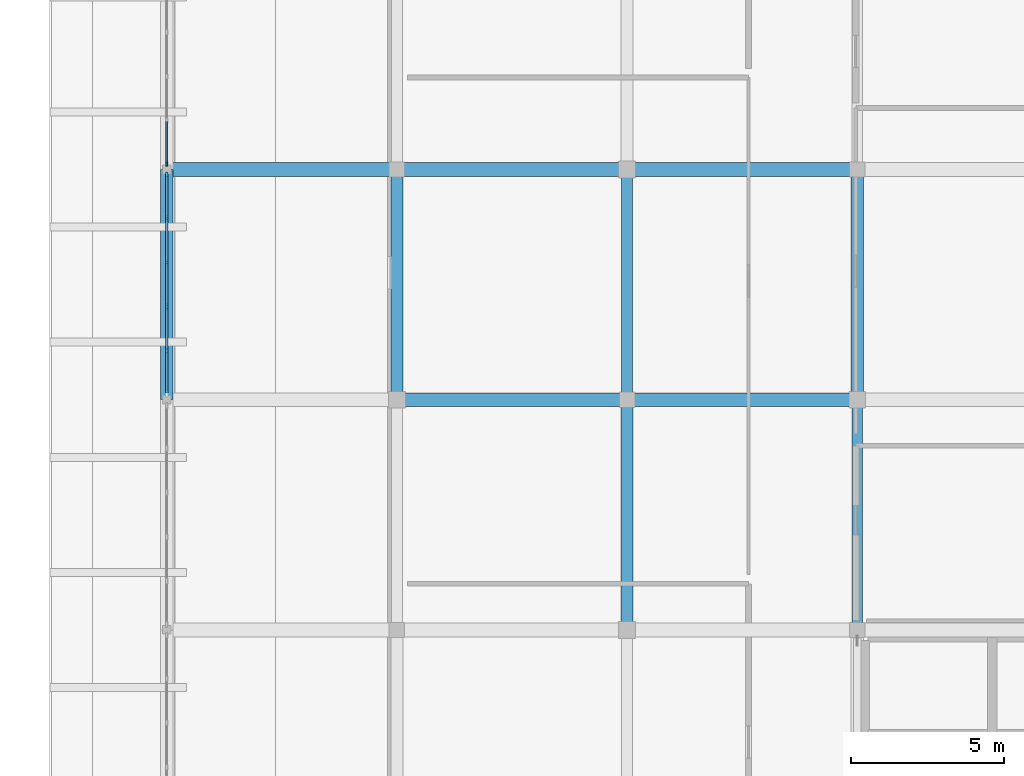
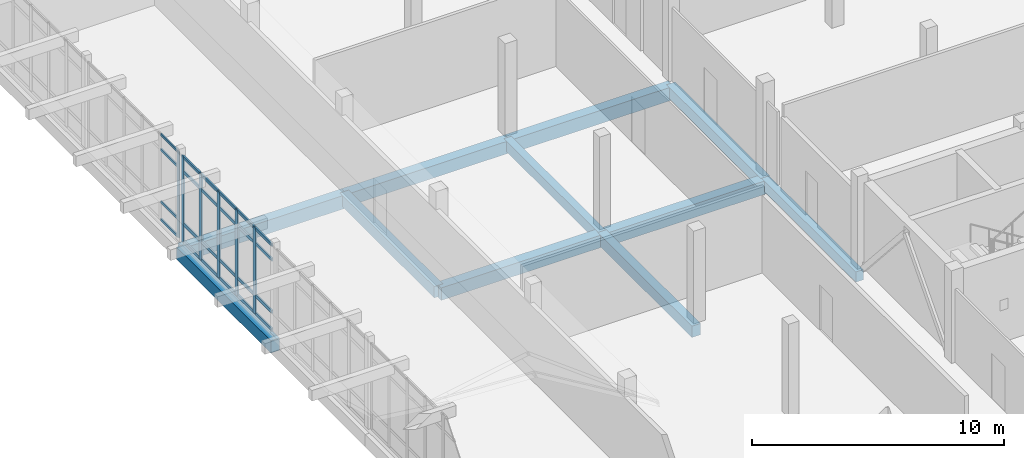
# One storey, part 62 of 128: 30 members, 11 beams, 2 elements without a shape of their own.
"""IFC4 building model written with IfcOpenShell, lengths in metres."""

from ifc_helpers import new_model, si_unit, direction, frame, origin, origin_2d, place, context, subcontext, project, spatial, rectangle, extrude, material, layer, layer_set, material_profile, profile_set, type_object, element, aggregate, save


model = new_model("IFC4")

# Units and contexts
model_context = context("Model", 3, precision=1e-05, world=origin(), true_north=direction((0.0, 1.0)))
body_context = subcontext(model_context, "Body", "Model", "MODEL_VIEW")
ifc_project = project(units=[si_unit("LENGTHUNIT", "METRE"), si_unit("AREAUNIT", "SQUARE_METRE"), si_unit("VOLUMEUNIT", "CUBIC_METRE"), si_unit("PLANEANGLEUNIT", "RADIAN"), si_unit("MASSUNIT", "GRAM", prefix="KILO")], contexts=[model_context])

# Site, building, storey
site_placement = place(None, origin())
site = spatial("IfcSite", under=ifc_project, at=site_placement, CompositionType="ELEMENT")
building_placement = place(site_placement, origin())
building = spatial("IfcBuilding", under=site, at=building_placement, Name="Dalvernix Boulevard General Hospital", CompositionType="ELEMENT")
storey_placement = place(building_placement, frame((0.0, 0.0, 4.800048828125)))
storey = spatial("IfcBuildingStorey", under=building, at=storey_placement, Name="L01", CompositionType="ELEMENT", Elevation=4.800048828125)

# Beams
ifc_material_1 = material(Name="Concrete C35/45", Category="concrete")
ifc_material_profile_1 = material_profile(ifc_material_1, rectangle(XDim=0.449951171875, YDim=0.64990234375, at=origin_2d()), Name="RCB 450x650")
ifc_profile_set_1 = profile_set([ifc_material_profile_1], Name="Concrete C35/45")
beam_type_1 = type_object("IfcBeamType", Name="BM-B-03-I", PredefinedType="BEAM", material=ifc_profile_set_1)
for number, where, z_axis, x_axis, name in (
    (1, (150.0, 54.0, -0.625), (1.0, 0.0, 0.0), (0.0, 1.0, 0.0), "L01 E-W girder H:21-22"),
    (2, (135.0, 61.5, -0.625), (1.0, 0.0, 0.0), (0.0, 1.0, 0.0), "L01 E-W girder J:19-20"),
    (3, (150.0, 61.5, -0.625), (1.0, 0.0, 0.0), (0.0, 1.0, 0.0), "L01 E-W girder J:21-22"),
):
    element("IfcBeam", number, at=place(storey_placement, frame(where, z_axis=z_axis, x_axis=x_axis)), inside=storey, type_object=beam_type_1, Name=name, PredefinedType="BEAM", context=body_context, shape_type="SweptSolid", body=[
        extrude(rectangle(XDim=0.449951171875, YDim=0.64990234375, at=origin_2d()), origin(), (0.0, 0.0, 1.0), 7.5),
    ])
ifc_material_profile_2 = material_profile(ifc_material_1, rectangle(XDim=0.449951171875, YDim=0.60009765625, at=origin_2d()), Name="RCB 450x600")
ifc_profile_set_2 = profile_set([ifc_material_profile_2], Name="Concrete C35/45")
beam_type_2 = type_object("IfcBeamType", Name="BM-B-04-I", PredefinedType="BEAM", material=ifc_profile_set_2)
for number, where, z_axis, x_axis, name in (
    (4, (142.5, 54.0, -0.60009765625), (1.0, 0.0, 0.0), (0.0, 1.0, 0.0), "L01 E-W girder H:20-21"),
    (5, (142.5, 61.5, -0.60009765625), (1.0, 0.0, 0.0), (0.0, 1.0, 0.0), "L01 E-W girder J:20-21"),
):
    element("IfcBeam", number, at=place(storey_placement, frame(where, z_axis=z_axis, x_axis=x_axis)), inside=storey, type_object=beam_type_2, Name=name, PredefinedType="BEAM", context=body_context, shape_type="SweptSolid", body=[
        extrude(rectangle(XDim=0.449951171875, YDim=0.60009765625, at=origin_2d()), origin(), (0.0, 0.0, 1.0), 7.5),
    ])
ifc_material_profile_3 = material_profile(ifc_material_1, rectangle(XDim=0.39990234375, YDim=0.550048828125, at=origin_2d()), Name="RCB 400x550")
ifc_profile_set_3 = profile_set([ifc_material_profile_3], Name="Concrete C35/45")
beam_type_3 = type_object("IfcBeamType", Name="BM-B-06-I", PredefinedType="BEAM", material=ifc_profile_set_3)
for number, where, z_axis, x_axis, name in (
    (6, (142.5, 54.0, -0.574951171875), (0.0, 1.0, 0.0), (-1.0, 0.0, 0.0), "L01 N-S girder 20:H-J"),
    (7, (150.0, 46.5, -0.574951171875), (0.0, 1.0, 0.0), (-1.0, 0.0, 0.0), "L01 N-S girder 21:G-H"),
    (8, (157.5, 54.0, -0.574951171875), (0.0, 1.0, 0.0), (-1.0, 0.0, 0.0), "L01 N-S girder 22:H-J"),
):
    element("IfcBeam", number, at=place(storey_placement, frame(where, z_axis=z_axis, x_axis=x_axis)), inside=storey, type_object=beam_type_3, Name=name, PredefinedType="BEAM", context=body_context, shape_type="SweptSolid", body=[
        extrude(rectangle(XDim=0.39990234375, YDim=0.550048828125, at=origin_2d()), origin(), (0.0, 0.0, 1.0), 7.5),
    ])
ifc_material_profile_4 = material_profile(ifc_material_1, rectangle(XDim=0.35009765625, YDim=0.5, at=origin_2d()), Name="RCB 350x500")
ifc_profile_set_4 = profile_set([ifc_material_profile_4], Name="Concrete C35/45")
beam_type_4 = type_object("IfcBeamType", Name="BM-B-08-I", PredefinedType="BEAM", material=ifc_profile_set_4)
for number, where, z_axis, x_axis, name in (
    (9, (150.0, 54.0, -0.550048828125), (0.0, 1.0, 0.0), (-1.0, 0.0, 0.0), "L01 N-S girder 21:H-J"),
    (10, (157.5, 46.5, -0.550048828125), (0.0, 1.0, 0.0), (-1.0, 0.0, 0.0), "L01 N-S girder 22:G-H"),
):
    element("IfcBeam", number, at=place(storey_placement, frame(where, z_axis=z_axis, x_axis=x_axis)), inside=storey, type_object=beam_type_4, Name=name, PredefinedType="BEAM", context=body_context, shape_type="SweptSolid", body=[
        extrude(rectangle(XDim=0.35009765625, YDim=0.5, at=origin_2d()), origin(), (0.0, 0.0, 1.0), 7.5),
    ])
ifc_material_profile_5 = material_profile(ifc_material_1, rectangle(XDim=0.39990234375, YDim=0.60009765625, at=origin_2d()), Name="RCB 400x600")
ifc_profile_set_5 = profile_set([ifc_material_profile_5], Name="Concrete C35/45")
beam_type_5 = type_object("IfcBeamType", Name="BM-SB-02-E", PredefinedType="SPANDREL", material=ifc_profile_set_5)
beam_placement = place(storey_placement, frame((135.0, 54.0, -0.60009765625), z_axis=(0.0, 1.0, 0.0), x_axis=(-1.0, 0.0, 0.0)))
element("IfcBeam", 11, at=beam_placement, inside=storey, type_object=beam_type_5, Name="L01 N-S girder 19:H-J", PredefinedType="SPANDREL", context=body_context, shape_type="SweptSolid", body=[
    extrude(rectangle(XDim=0.39990234375, YDim=0.60009765625, at=origin_2d()), origin(), (0.0, 0.0, 1.0), 7.5),
])

# Curtain wall, member
ifc_material_2 = material(Name="Thermally broken aluminium and solar-control glass curtain wall", Category="aluminium")
ifc_layer_1 = layer(ifc_material_2, 0.159912109375)
ifc_layer_set_1 = layer_set([ifc_layer_1], Name="Thermally broken aluminium and solar-control glass curtain wall (CW-CW-A-72x42)")
curtain_wall_type_1 = type_object("IfcCurtainWallType", Name="CW-CW-A-72x42", PredefinedType="USERDEFINED", material=ifc_layer_set_1)
curtain_wall_1_placement = place(storey_placement, origin())
curtain_wall_1 = element("IfcCurtainWall", 12, at=curtain_wall_1_placement, inside=storey, type_object=curtain_wall_type_1, Name="L01 curtain wall CW-A-72x42 18-8", ObjectType="GLAZED FACADE", PredefinedType="USERDEFINED")
ifc_material_3 = material(Name="Aluminium EN AW-6060", Category="aluminium")
ifc_material_profile_6 = material_profile(ifc_material_3, rectangle(XDim=0.06005859375, YDim=0.159912109375, at=origin_2d()), Name="ALU MULL 60x160")
ifc_profile_set_6 = profile_set([ifc_material_profile_6], Name="Aluminium EN AW-6060")
member_type_1 = type_object("IfcMemberType", Name="MEM-CW-M1", PredefinedType="MULLION", material=ifc_profile_set_6)
member_1_placement = place(storey_placement, frame((135.0, 61.679931640625, 0.0), z_axis=(0.0, 0.0, 1.0), x_axis=(-1.0, 0.0, 0.0)))
member_1 = element("IfcMember", 13, at=member_1_placement, type_object=member_type_1, Name="CW-A-72x42 mullion 1", PredefinedType="MULLION", context=body_context, shape_type="SweptSolid", body=[
    extrude(rectangle(XDim=0.06005859375, YDim=0.159912109375, at=origin_2d()), origin(), (0.0, 0.0, 1.0), 4.179931640625),
])

# Curtain wall, members
ifc_layer_2 = layer(ifc_material_2, 0.199951171875)
ifc_layer_set_2 = layer_set([ifc_layer_2], Name="Thermally broken aluminium and solar-control glass curtain wall (CW-CW-C-72x42)")
curtain_wall_type_2 = type_object("IfcCurtainWallType", Name="CW-CW-C-72x42", PredefinedType="USERDEFINED", material=ifc_layer_set_2)
curtain_wall_2_placement = place(storey_placement, origin())
curtain_wall_2 = element("IfcCurtainWall", 14, at=curtain_wall_2_placement, inside=storey, type_object=curtain_wall_type_2, Name="L01 curtain wall CW-C-72x42 18-7", ObjectType="GLAZED FACADE", PredefinedType="USERDEFINED")
ifc_material_profile_7 = material_profile(ifc_material_3, rectangle(XDim=0.070068359375, YDim=0.199951171875, at=origin_2d()), Name="ALU MULL 70x200")
ifc_profile_set_7 = profile_set([ifc_material_profile_7], Name="Aluminium EN AW-6060")
member_type_2 = type_object("IfcMemberType", Name="MEM-CW-M3", PredefinedType="MULLION", material=ifc_profile_set_7)
member_2_placement = place(storey_placement, frame((135.0, 55.590087890625, 0.0), z_axis=(0.0, 0.0, 1.0), x_axis=(-1.0, 0.0, 0.0)))
member_2 = element("IfcMember", 15, at=member_2_placement, type_object=member_type_2, Name="CW-C-72x42 mullion 2", PredefinedType="MULLION", context=body_context, shape_type="SweptSolid", body=[
    extrude(rectangle(XDim=0.070068359375, YDim=0.199951171875, at=origin_2d()), origin(), (0.0, 0.0, 1.0), 4.179931640625),
])
member_3_placement = place(storey_placement, frame((135.0, 57.030029296875, 0.0), z_axis=(0.0, 0.0, 1.0), x_axis=(-1.0, 0.0, 0.0)))
member_3 = element("IfcMember", 16, at=member_3_placement, type_object=member_type_2, Name="CW-C-72x42 mullion 3", PredefinedType="MULLION", context=body_context, shape_type="SweptSolid", body=[
    extrude(rectangle(XDim=0.070068359375, YDim=0.199951171875, at=origin_2d()), origin(), (0.0, 0.0, 1.0), 4.179931640625),
])
member_4_placement = place(storey_placement, frame((135.0, 58.469970703125, 0.0), z_axis=(0.0, 0.0, 1.0), x_axis=(-1.0, 0.0, 0.0)))
member_4 = element("IfcMember", 17, at=member_4_placement, type_object=member_type_2, Name="CW-C-72x42 mullion 4", PredefinedType="MULLION", context=body_context, shape_type="SweptSolid", body=[
    extrude(rectangle(XDim=0.070068359375, YDim=0.199951171875, at=origin_2d()), origin(), (0.0, 0.0, 1.0), 4.179931640625),
])
member_5_placement = place(storey_placement, frame((135.0, 59.909912109375, 0.0), z_axis=(0.0, 0.0, 1.0), x_axis=(-1.0, 0.0, 0.0)))
member_5 = element("IfcMember", 18, at=member_5_placement, type_object=member_type_2, Name="CW-C-72x42 mullion 5", PredefinedType="MULLION", context=body_context, shape_type="SweptSolid", body=[
    extrude(rectangle(XDim=0.070068359375, YDim=0.199951171875, at=origin_2d()), origin(), (0.0, 0.0, 1.0), 4.179931640625),
])
member_6_placement = place(storey_placement, frame((135.0, 61.31494140625, 0.0), z_axis=(0.0, 0.0, 1.0), x_axis=(-1.0, 0.0, 0.0)))
member_6 = element("IfcMember", 19, at=member_6_placement, type_object=member_type_2, Name="CW-C-72x42 mullion 6", PredefinedType="MULLION", context=body_context, shape_type="SweptSolid", body=[
    extrude(rectangle(XDim=0.070068359375, YDim=0.199951171875, at=origin_2d()), origin(), (0.0, 0.0, 1.0), 4.179931640625),
])

# Member
ifc_material_profile_8 = material_profile(ifc_material_3, rectangle(XDim=0.06005859375, YDim=0.1201171875, at=origin_2d()), Name="ALU TRAN 60x120")
ifc_profile_set_8 = profile_set([ifc_material_profile_8], Name="Aluminium EN AW-6060")
member_type_3 = type_object("IfcMemberType", Name="MEM-CW-T1", PredefinedType="USERDEFINED", material=ifc_profile_set_8)
member_7_placement = place(storey_placement, frame((135.0, 61.7099609375, 0.030029296875), z_axis=(0.0, 1.0, 0.0), x_axis=(-1.0, 0.0, 0.0)))
member_7 = element("IfcMember", 20, at=member_7_placement, type_object=member_type_3, Name="CW-A-72x42 transom 1.1", ObjectType="TRANSOM", PredefinedType="USERDEFINED", context=body_context, shape_type="SweptSolid", body=[
    extrude(rectangle(XDim=0.06005859375, YDim=0.1201171875, at=origin_2d()), origin(), (0.0, 0.0, 1.0), 1.35009765625),
])

member_8_placement = place(storey_placement, frame((135.0, 61.7099609375, 0.89990234375), z_axis=(0.0, 1.0, 0.0), x_axis=(-1.0, 0.0, 0.0)))
member_8 = element("IfcMember", 21, at=member_8_placement, type_object=member_type_3, Name="CW-A-72x42 transom 1.2", ObjectType="TRANSOM", PredefinedType="USERDEFINED", context=body_context, shape_type="SweptSolid", body=[
    extrude(rectangle(XDim=0.06005859375, YDim=0.1201171875, at=origin_2d()), origin(), (0.0, 0.0, 1.0), 1.35009765625),
])

member_9_placement = place(storey_placement, frame((135.0, 61.7099609375, 3.429931640625), z_axis=(0.0, 1.0, 0.0), x_axis=(-1.0, 0.0, 0.0)))
member_9 = element("IfcMember", 22, at=member_9_placement, type_object=member_type_3, Name="CW-A-72x42 transom 1.3", ObjectType="TRANSOM", PredefinedType="USERDEFINED", context=body_context, shape_type="SweptSolid", body=[
    extrude(rectangle(XDim=0.06005859375, YDim=0.1201171875, at=origin_2d()), origin(), (0.0, 0.0, 1.0), 1.35009765625),
])

member_10_placement = place(storey_placement, frame((135.0, 61.7099609375, 4.14990234375), z_axis=(0.0, 1.0, 0.0), x_axis=(-1.0, 0.0, 0.0)))
member_10 = element("IfcMember", 23, at=member_10_placement, type_object=member_type_3, Name="CW-A-72x42 transom 1.4", ObjectType="TRANSOM", PredefinedType="USERDEFINED", context=body_context, shape_type="SweptSolid", body=[
    extrude(rectangle(XDim=0.06005859375, YDim=0.1201171875, at=origin_2d()), origin(), (0.0, 0.0, 1.0), 1.35009765625),
])

aggregate(curtain_wall_1, [member_1, member_7, member_8, member_9, member_10])

ifc_material_profile_9 = material_profile(ifc_material_3, rectangle(XDim=0.070068359375, YDim=0.14990234375, at=origin_2d()), Name="ALU TRAN 70x150")
ifc_profile_set_9 = profile_set([ifc_material_profile_9], Name="Aluminium EN AW-6060")
member_type_4 = type_object("IfcMemberType", Name="MEM-CW-T3", PredefinedType="USERDEFINED", material=ifc_profile_set_9)
member_11_placement = place(storey_placement, frame((135.0, 54.219970703125, 0.034912109375), z_axis=(0.0, 1.0, 0.0), x_axis=(-1.0, 0.0, 0.0)))
member_11 = element("IfcMember", 24, at=member_11_placement, type_object=member_type_4, Name="CW-C-72x42 transom 1.1", ObjectType="TRANSOM", PredefinedType="USERDEFINED", context=body_context, shape_type="SweptSolid", body=[
    extrude(rectangle(XDim=0.070068359375, YDim=0.14990234375, at=origin_2d()), origin(), (0.0, 0.0, 1.0), 1.3349609375),
])

member_12_placement = place(storey_placement, frame((135.0, 54.219970703125, 0.89990234375), z_axis=(0.0, 1.0, 0.0), x_axis=(-1.0, 0.0, 0.0)))
member_12 = element("IfcMember", 25, at=member_12_placement, type_object=member_type_4, Name="CW-C-72x42 transom 1.2", ObjectType="TRANSOM", PredefinedType="USERDEFINED", context=body_context, shape_type="SweptSolid", body=[
    extrude(rectangle(XDim=0.070068359375, YDim=0.14990234375, at=origin_2d()), origin(), (0.0, 0.0, 1.0), 1.3349609375),
])

member_13_placement = place(storey_placement, frame((135.0, 54.219970703125, 3.429931640625), z_axis=(0.0, 1.0, 0.0), x_axis=(-1.0, 0.0, 0.0)))
member_13 = element("IfcMember", 26, at=member_13_placement, type_object=member_type_4, Name="CW-C-72x42 transom 1.3", ObjectType="TRANSOM", PredefinedType="USERDEFINED", context=body_context, shape_type="SweptSolid", body=[
    extrude(rectangle(XDim=0.070068359375, YDim=0.14990234375, at=origin_2d()), origin(), (0.0, 0.0, 1.0), 1.3349609375),
])

member_14_placement = place(storey_placement, frame((135.0, 54.219970703125, 4.14501953125), z_axis=(0.0, 1.0, 0.0), x_axis=(-1.0, 0.0, 0.0)))
member_14 = element("IfcMember", 27, at=member_14_placement, type_object=member_type_4, Name="CW-C-72x42 transom 1.4", ObjectType="TRANSOM", PredefinedType="USERDEFINED", context=body_context, shape_type="SweptSolid", body=[
    extrude(rectangle(XDim=0.070068359375, YDim=0.14990234375, at=origin_2d()), origin(), (0.0, 0.0, 1.0), 1.3349609375),
])

member_15_placement = place(storey_placement, frame((135.0, 55.625, 0.034912109375), z_axis=(0.0, 1.0, 0.0), x_axis=(-1.0, 0.0, 0.0)))
member_15 = element("IfcMember", 28, at=member_15_placement, type_object=member_type_4, Name="CW-C-72x42 transom 2.1", ObjectType="TRANSOM", PredefinedType="USERDEFINED", context=body_context, shape_type="SweptSolid", body=[
    extrude(rectangle(XDim=0.070068359375, YDim=0.14990234375, at=origin_2d()), origin(), (0.0, 0.0, 1.0), 1.3701171875),
])

member_16_placement = place(storey_placement, frame((135.0, 55.625, 0.89990234375), z_axis=(0.0, 1.0, 0.0), x_axis=(-1.0, 0.0, 0.0)))
member_16 = element("IfcMember", 29, at=member_16_placement, type_object=member_type_4, Name="CW-C-72x42 transom 2.2", ObjectType="TRANSOM", PredefinedType="USERDEFINED", context=body_context, shape_type="SweptSolid", body=[
    extrude(rectangle(XDim=0.070068359375, YDim=0.14990234375, at=origin_2d()), origin(), (0.0, 0.0, 1.0), 1.3701171875),
])

member_17_placement = place(storey_placement, frame((135.0, 55.625, 3.429931640625), z_axis=(0.0, 1.0, 0.0), x_axis=(-1.0, 0.0, 0.0)))
member_17 = element("IfcMember", 30, at=member_17_placement, type_object=member_type_4, Name="CW-C-72x42 transom 2.3", ObjectType="TRANSOM", PredefinedType="USERDEFINED", context=body_context, shape_type="SweptSolid", body=[
    extrude(rectangle(XDim=0.070068359375, YDim=0.14990234375, at=origin_2d()), origin(), (0.0, 0.0, 1.0), 1.3701171875),
])

member_18_placement = place(storey_placement, frame((135.0, 55.625, 4.14501953125), z_axis=(0.0, 1.0, 0.0), x_axis=(-1.0, 0.0, 0.0)))
member_18 = element("IfcMember", 31, at=member_18_placement, type_object=member_type_4, Name="CW-C-72x42 transom 2.4", ObjectType="TRANSOM", PredefinedType="USERDEFINED", context=body_context, shape_type="SweptSolid", body=[
    extrude(rectangle(XDim=0.070068359375, YDim=0.14990234375, at=origin_2d()), origin(), (0.0, 0.0, 1.0), 1.3701171875),
])

member_19_placement = place(storey_placement, frame((135.0, 57.06494140625, 0.034912109375), z_axis=(0.0, 1.0, 0.0), x_axis=(-1.0, 0.0, 0.0)))
member_19 = element("IfcMember", 32, at=member_19_placement, type_object=member_type_4, Name="CW-C-72x42 transom 3.1", ObjectType="TRANSOM", PredefinedType="USERDEFINED", context=body_context, shape_type="SweptSolid", body=[
    extrude(rectangle(XDim=0.070068359375, YDim=0.14990234375, at=origin_2d()), origin(), (0.0, 0.0, 1.0), 1.3701171875),
])

member_20_placement = place(storey_placement, frame((135.0, 57.06494140625, 0.89990234375), z_axis=(0.0, 1.0, 0.0), x_axis=(-1.0, 0.0, 0.0)))
member_20 = element("IfcMember", 33, at=member_20_placement, type_object=member_type_4, Name="CW-C-72x42 transom 3.2", ObjectType="TRANSOM", PredefinedType="USERDEFINED", context=body_context, shape_type="SweptSolid", body=[
    extrude(rectangle(XDim=0.070068359375, YDim=0.14990234375, at=origin_2d()), origin(), (0.0, 0.0, 1.0), 1.3701171875),
])

member_21_placement = place(storey_placement, frame((135.0, 57.06494140625, 3.429931640625), z_axis=(0.0, 1.0, 0.0), x_axis=(-1.0, 0.0, 0.0)))
member_21 = element("IfcMember", 34, at=member_21_placement, type_object=member_type_4, Name="CW-C-72x42 transom 3.3", ObjectType="TRANSOM", PredefinedType="USERDEFINED", context=body_context, shape_type="SweptSolid", body=[
    extrude(rectangle(XDim=0.070068359375, YDim=0.14990234375, at=origin_2d()), origin(), (0.0, 0.0, 1.0), 1.3701171875),
])

member_22_placement = place(storey_placement, frame((135.0, 57.06494140625, 4.14501953125), z_axis=(0.0, 1.0, 0.0), x_axis=(-1.0, 0.0, 0.0)))
member_22 = element("IfcMember", 35, at=member_22_placement, type_object=member_type_4, Name="CW-C-72x42 transom 3.4", ObjectType="TRANSOM", PredefinedType="USERDEFINED", context=body_context, shape_type="SweptSolid", body=[
    extrude(rectangle(XDim=0.070068359375, YDim=0.14990234375, at=origin_2d()), origin(), (0.0, 0.0, 1.0), 1.3701171875),
])

member_23_placement = place(storey_placement, frame((135.0, 58.5048828125, 0.034912109375), z_axis=(0.0, 1.0, 0.0), x_axis=(-1.0, 0.0, 0.0)))
member_23 = element("IfcMember", 36, at=member_23_placement, type_object=member_type_4, Name="CW-C-72x42 transom 4.1", ObjectType="TRANSOM", PredefinedType="USERDEFINED", context=body_context, shape_type="SweptSolid", body=[
    extrude(rectangle(XDim=0.070068359375, YDim=0.14990234375, at=origin_2d()), origin(), (0.0, 0.0, 1.0), 1.3701171875),
])

member_24_placement = place(storey_placement, frame((135.0, 58.5048828125, 0.89990234375), z_axis=(0.0, 1.0, 0.0), x_axis=(-1.0, 0.0, 0.0)))
member_24 = element("IfcMember", 37, at=member_24_placement, type_object=member_type_4, Name="CW-C-72x42 transom 4.2", ObjectType="TRANSOM", PredefinedType="USERDEFINED", context=body_context, shape_type="SweptSolid", body=[
    extrude(rectangle(XDim=0.070068359375, YDim=0.14990234375, at=origin_2d()), origin(), (0.0, 0.0, 1.0), 1.3701171875),
])

member_25_placement = place(storey_placement, frame((135.0, 58.5048828125, 3.429931640625), z_axis=(0.0, 1.0, 0.0), x_axis=(-1.0, 0.0, 0.0)))
member_25 = element("IfcMember", 38, at=member_25_placement, type_object=member_type_4, Name="CW-C-72x42 transom 4.3", ObjectType="TRANSOM", PredefinedType="USERDEFINED", context=body_context, shape_type="SweptSolid", body=[
    extrude(rectangle(XDim=0.070068359375, YDim=0.14990234375, at=origin_2d()), origin(), (0.0, 0.0, 1.0), 1.3701171875),
])

member_26_placement = place(storey_placement, frame((135.0, 58.5048828125, 4.14501953125), z_axis=(0.0, 1.0, 0.0), x_axis=(-1.0, 0.0, 0.0)))
member_26 = element("IfcMember", 39, at=member_26_placement, type_object=member_type_4, Name="CW-C-72x42 transom 4.4", ObjectType="TRANSOM", PredefinedType="USERDEFINED", context=body_context, shape_type="SweptSolid", body=[
    extrude(rectangle(XDim=0.070068359375, YDim=0.14990234375, at=origin_2d()), origin(), (0.0, 0.0, 1.0), 1.3701171875),
])

member_27_placement = place(storey_placement, frame((135.0, 59.945068359375, 0.034912109375), z_axis=(0.0, 1.0, 0.0), x_axis=(-1.0, 0.0, 0.0)))
member_27 = element("IfcMember", 40, at=member_27_placement, type_object=member_type_4, Name="CW-C-72x42 transom 5.1", ObjectType="TRANSOM", PredefinedType="USERDEFINED", context=body_context, shape_type="SweptSolid", body=[
    extrude(rectangle(XDim=0.070068359375, YDim=0.14990234375, at=origin_2d()), origin(), (0.0, 0.0, 1.0), 1.3349609375),
])

member_28_placement = place(storey_placement, frame((135.0, 59.945068359375, 0.89990234375), z_axis=(0.0, 1.0, 0.0), x_axis=(-1.0, 0.0, 0.0)))
member_28 = element("IfcMember", 41, at=member_28_placement, type_object=member_type_4, Name="CW-C-72x42 transom 5.2", ObjectType="TRANSOM", PredefinedType="USERDEFINED", context=body_context, shape_type="SweptSolid", body=[
    extrude(rectangle(XDim=0.070068359375, YDim=0.14990234375, at=origin_2d()), origin(), (0.0, 0.0, 1.0), 1.3349609375),
])

member_29_placement = place(storey_placement, frame((135.0, 59.945068359375, 3.429931640625), z_axis=(0.0, 1.0, 0.0), x_axis=(-1.0, 0.0, 0.0)))
member_29 = element("IfcMember", 42, at=member_29_placement, type_object=member_type_4, Name="CW-C-72x42 transom 5.3", ObjectType="TRANSOM", PredefinedType="USERDEFINED", context=body_context, shape_type="SweptSolid", body=[
    extrude(rectangle(XDim=0.070068359375, YDim=0.14990234375, at=origin_2d()), origin(), (0.0, 0.0, 1.0), 1.3349609375),
])

member_30_placement = place(storey_placement, frame((135.0, 59.945068359375, 4.14501953125), z_axis=(0.0, 1.0, 0.0), x_axis=(-1.0, 0.0, 0.0)))
member_30 = element("IfcMember", 43, at=member_30_placement, type_object=member_type_4, Name="CW-C-72x42 transom 5.4", ObjectType="TRANSOM", PredefinedType="USERDEFINED", context=body_context, shape_type="SweptSolid", body=[
    extrude(rectangle(XDim=0.070068359375, YDim=0.14990234375, at=origin_2d()), origin(), (0.0, 0.0, 1.0), 1.3349609375),
])

aggregate(curtain_wall_2, [member_2, member_3, member_4, member_5, member_6, member_11, member_12, member_13, member_14, member_15, member_16, member_17, member_18, member_19, member_20, member_21, member_22, member_23, member_24, member_25, member_26, member_27, member_28, member_29, member_30])

save(model, "model.ifc")
